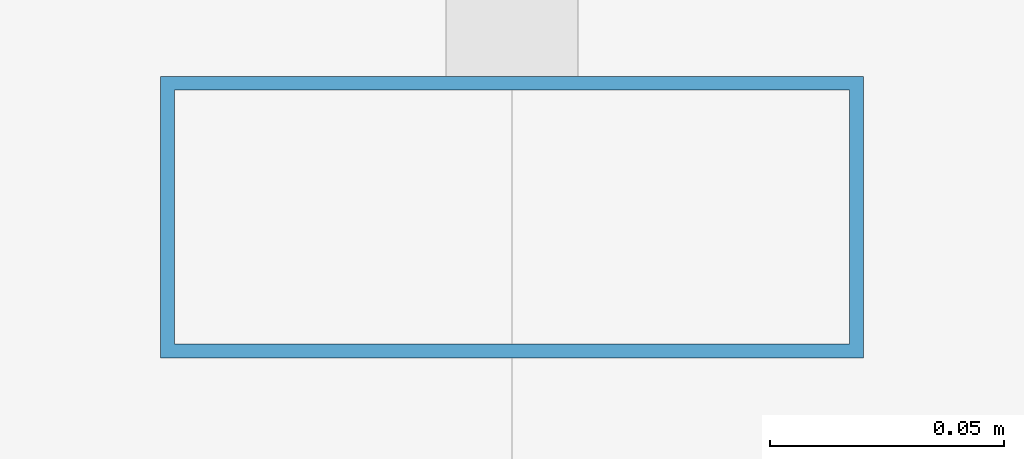
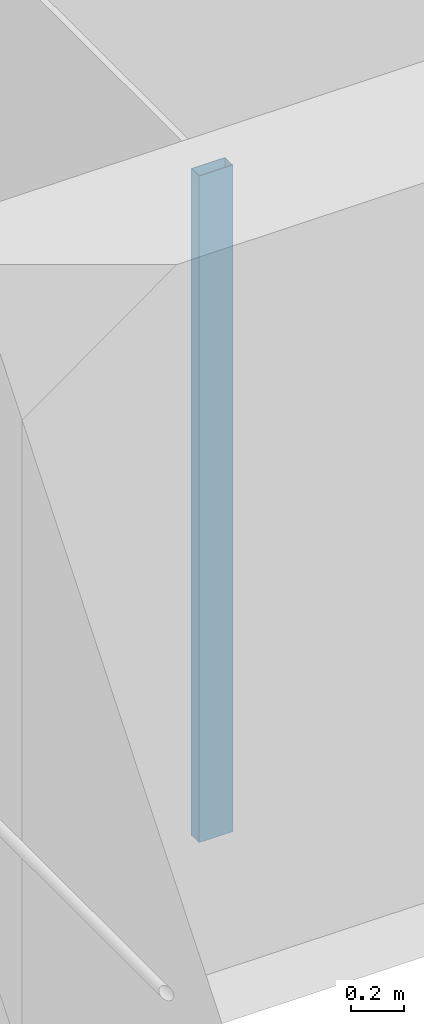
# One storey, part 11 of 46: 1 member, 1 element without a shape of its own.
"""IFC4 building model written with IfcOpenShell, lengths in metres."""

from ifc_helpers import new_model, si_unit, direction, frame, origin, origin_2d, place, context, subcontext, project, spatial, hollow_rectangle, extrude, material, material_profile, profile_set, type_object, element, aggregate, save


model = new_model("IFC4")

# Units and contexts
model_context = context("Model", 3, precision=1e-05, world=origin(), true_north=direction((0.0, 1.0)))
body_context = subcontext(model_context, "Body", "Model", "MODEL_VIEW")
ifc_project = project(units=[si_unit("LENGTHUNIT", "METRE"), si_unit("AREAUNIT", "SQUARE_METRE"), si_unit("VOLUMEUNIT", "CUBIC_METRE"), si_unit("PLANEANGLEUNIT", "RADIAN"), si_unit("MASSUNIT", "GRAM", prefix="KILO")], contexts=[model_context])

# Site, building, storey
site_placement = place(None, origin())
site = spatial("IfcSite", under=ifc_project, at=site_placement, CompositionType="ELEMENT")
building_placement = place(site_placement, origin())
building = spatial("IfcBuilding", under=site, at=building_placement, Name="Altepetl Exchange Towers", CompositionType="ELEMENT")
storey_placement = place(building_placement, frame((0.0, 0.0, 131.60009765625)))
storey = spatial("IfcBuildingStorey", under=building, at=storey_placement, Name="L32", CompositionType="ELEMENT", Elevation=131.60009765625)

# Curtain wall, member
ifc_material_1 = material(Name="Aluminium 6063-T6 glazing", Category="aluminium")
curtain_wall_type = type_object("IfcCurtainWallType", Name="Loggia glazing system", PredefinedType="NOTDEFINED", material=ifc_material_1)
curtain_wall_placement = place(storey_placement, origin())
curtain_wall = element("IfcCurtainWall", 1, at=curtain_wall_placement, inside=storey, type_object=curtain_wall_type, Name="CW1 run", PredefinedType="NOTDEFINED")
ifc_material_2 = material(Name="Aluminium 6063-T6", Category="aluminium")
ifc_material_profile = material_profile(ifc_material_2, hollow_rectangle(XDim=0.06005859375, YDim=0.14990234375, WallThickness=0.0029296875, at=origin_2d()), Name="Mullion 60x150 aluminium")
ifc_profile_set = profile_set([ifc_material_profile], Name="Aluminium 6063-T6")
member_type = type_object("IfcMemberType", Name="Mullion 60x150 aluminium", PredefinedType="MULLION", material=ifc_profile_set)
member_placement = place(storey_placement, frame((42.5, 58.60498046875, 0.0), z_axis=(0.0, 0.0, 1.0), x_axis=(0.0, -1.0, 0.0)))
member = element("IfcMember", 2, at=member_placement, type_object=member_type, Name="MU1 mullion", PredefinedType="MULLION", context=body_context, shape_type="SweptSolid", body=[
    extrude(hollow_rectangle(XDim=0.06005859375, YDim=0.14990234375, WallThickness=0.0029296875, at=origin_2d()), origin(), (0.0, 0.0, 1.0), 3.099853515625),
])
aggregate(curtain_wall, [member])

save(model, "model.ifc")
